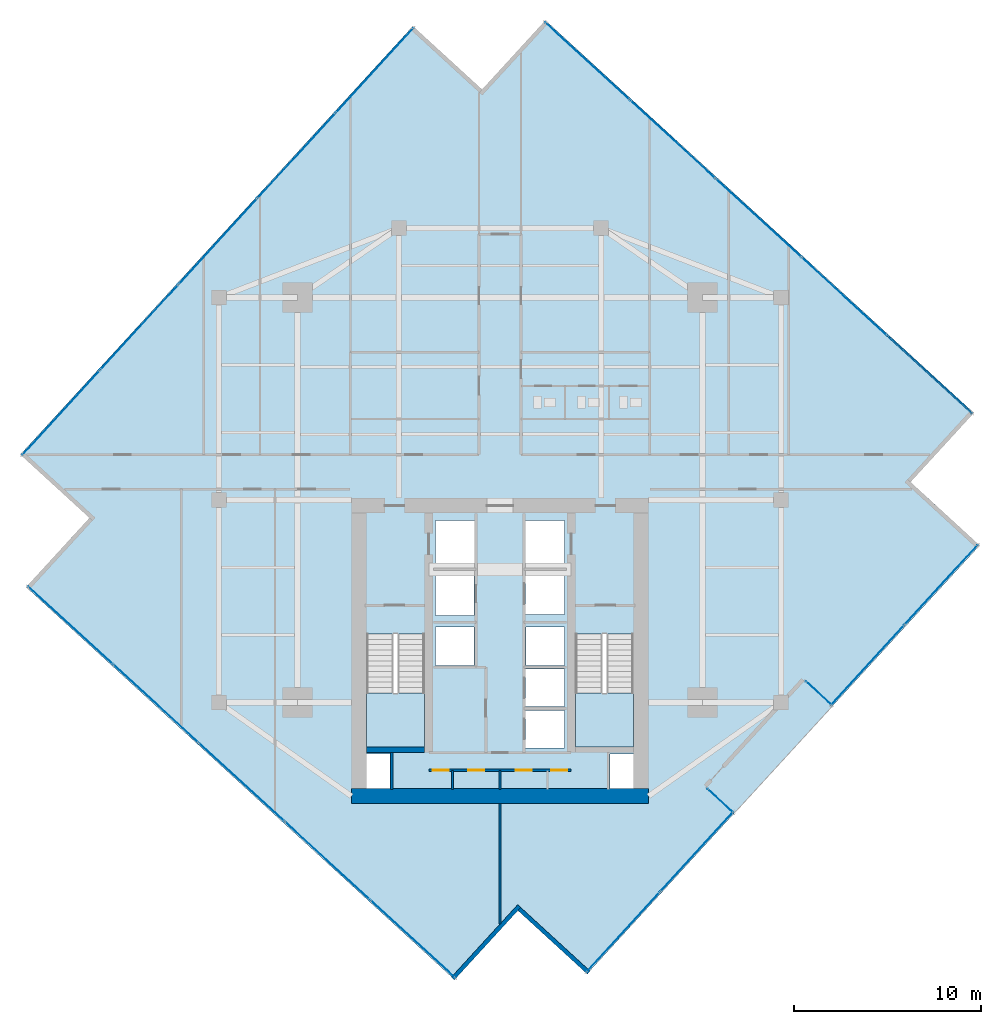
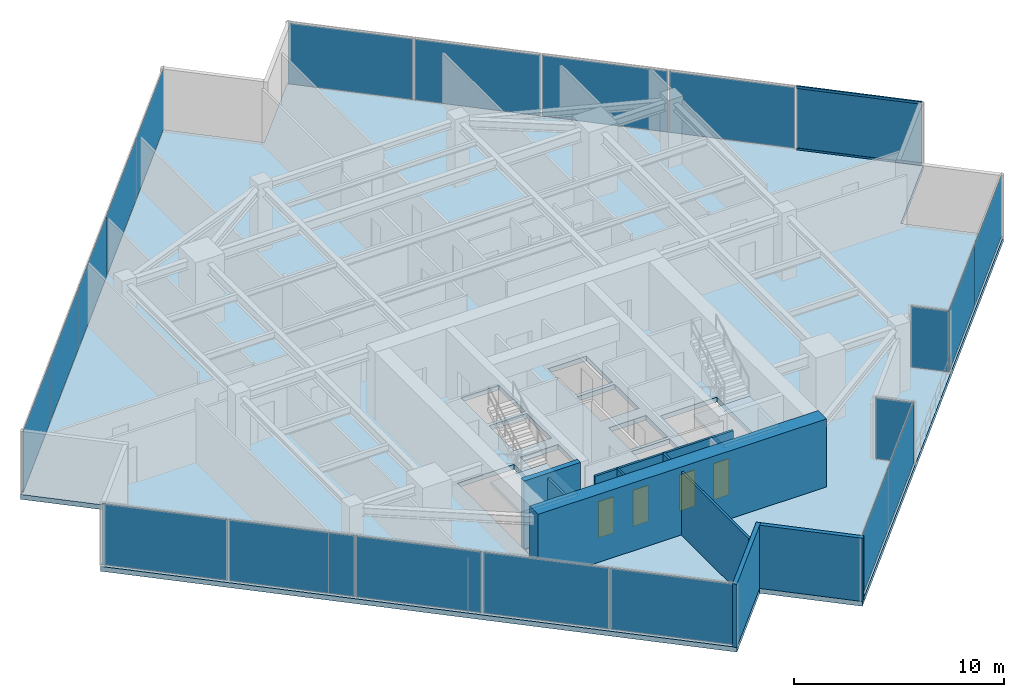
# One storey, part 21 of 26: 21 plates, 9 walls, 4 doors, 3 slabs, 2 members, 4 openings, 9 elements without a shape of their own.
"""IFC4 building model written with IfcOpenShell, lengths in metres."""

from ifc_helpers import new_model, si_unit, direction, frame, frame_2d, origin, origin_2d, place, context, subcontext, project, spatial, polyline, rectangle, hollow_rectangle, outline, extrude, source, transform, mapped, material, layer, layer_set, material_profile, profile_set, type_object, type_shapes, element, fill, aggregate, save


model = new_model("IFC4")

# Units and contexts
model_context = context("Model", 3, precision=1e-05, world=origin(), true_north=direction((0.0, 1.0)))
body_context = subcontext(model_context, "Body", "Model", "MODEL_VIEW")
ifc_project = project(units=[si_unit("LENGTHUNIT", "METRE"), si_unit("AREAUNIT", "SQUARE_METRE"), si_unit("VOLUMEUNIT", "CUBIC_METRE"), si_unit("PLANEANGLEUNIT", "RADIAN"), si_unit("MASSUNIT", "GRAM", prefix="KILO")], contexts=[model_context])

# Site, building, storey
site_placement = place(None, origin())
site = spatial("IfcSite", under=ifc_project, at=site_placement, CompositionType="ELEMENT")
building_placement = place(site_placement, origin())
building = spatial("IfcBuilding", under=site, at=building_placement, Name="Krantzveldt Concourse Tower", CompositionType="ELEMENT")
storey_placement = place(building_placement, frame((0.0, 0.0, 223.10009765625)))
storey = spatial("IfcBuildingStorey", under=building, at=storey_placement, Name="L54", CompositionType="ELEMENT", Elevation=223.10009765625)

# Curtain wall, members
ifc_material_1 = material(Name="Anodised aluminium 6063-T6", Category="aluminium")
curtain_wall_type_1 = type_object("IfcCurtainWallType", Name="CW3", PredefinedType="USERDEFINED", material=ifc_material_1)
curtain_wall_1_placement = place(storey_placement, origin())
curtain_wall_1 = element("IfcCurtainWall", 1, at=curtain_wall_1_placement, inside=storey, type_object=curtain_wall_type_1, Name="CW-L54-F14", ObjectType="UNITISED CURTAIN WALL", PredefinedType="USERDEFINED")
ifc_material_profile = material_profile(ifc_material_1, hollow_rectangle(XDim=0.070068359375, YDim=0.139892578125, WallThickness=0.0048828125, at=origin_2d()), Name="Anodised aluminium 6063-T6", Category="aluminium")
ifc_profile_set = profile_set([ifc_material_profile], Name="Anodised aluminium 6063-T6 - ALU-TRAN 140x70x5")
member_type = type_object("IfcMemberType", Name="CW-TRN-150", PredefinedType="USERDEFINED", material=ifc_profile_set)
shared_shape_1 = source(origin(), body_context, "Body", "SweptSolid", [
    extrude(hollow_rectangle(XDim=0.070068359375, YDim=0.139892578125, WallThickness=0.0048828125, at=origin_2d()), origin(), (0.0, 0.0, 1.0), 6.094970703125),
])
type_shapes(member_type, [shared_shape_1])
member_1_placement = place(storey_placement, frame((61.1650390625, 31.323486328125, 0.034912109375), z_axis=(-0.737277168993, 0.675590390755, 0.0), x_axis=(-0.675590390755, -0.737277168993, 0.0)))
member_1 = element("IfcMember", 2, at=member_1_placement, type_object=member_type, Name="CW-Z34 transom 1.1", ObjectType="TRANSOM", PredefinedType="USERDEFINED", context=body_context, shape_type="MappedRepresentation", body=[
    mapped(shared_shape_1, transform((0.0, 0.0, 0.0), x_axis=(1.0, 0.0, 0.0), y_axis=(0.0, 1.0, 0.0), z_axis=(0.0, 0.0, 1.0), scale=1.0)),
])
member_2_placement = place(storey_placement, frame((61.1650390625, 31.323486328125, 3.635009765625), z_axis=(-0.737277168993, 0.675590390755, 0.0), x_axis=(-0.675590390755, -0.737277168993, 0.0)))
member_2 = element("IfcMember", 3, at=member_2_placement, type_object=member_type, Name="CW-Z34 transom 1.2", ObjectType="TRANSOM", PredefinedType="USERDEFINED", context=body_context, shape_type="MappedRepresentation", body=[
    mapped(shared_shape_1, transform((0.0, 0.0, 0.0), x_axis=(1.0, 0.0, 0.0), y_axis=(0.0, 1.0, 0.0), z_axis=(0.0, 0.0, 1.0), scale=1.0)),
])

# Stair, slab
ifc_material_2 = material(Name="Precast concrete C40/50", Category="concrete")
stair_type = type_object("IfcStairType", Name="STR-CORE-DOGLEG", PredefinedType="HALF_TURN_STAIR", material=ifc_material_2)
stair_1_placement = place(storey_placement, origin())
stair_1 = element("IfcStair", 4, at=stair_1_placement, inside=storey, type_object=stair_type, Name="L54 Protected Escape Stair ST-1", PredefinedType="HALF_TURN_STAIR")
ifc_layer_1 = layer(ifc_material_2, 0.199951171875, Name="Precast concrete C40/50", Category="concrete")
ifc_layer_set_1 = layer_set([ifc_layer_1], Name="Precast concrete C40/50 (SL-LANDING-200)")
slab_type_1 = type_object("IfcSlabType", Name="SL-LANDING-200", PredefinedType="LANDING", material=ifc_layer_set_1)
slab_1_placement = place(storey_placement, frame((0.0, 0.0, 1.77490234375)))
slab_1 = element("IfcSlab", 5, at=slab_1_placement, type_object=slab_type_1, Name="ST-1 landing 1", PredefinedType="LANDING", context=body_context, shape_type="SweptSolid", body=[
    extrude(outline(polyline([(28.8798828125, 16.4150390625), (28.8798828125, 13.52001953125), (31.97998046875, 13.52001953125), (31.97998046875, 16.4150390625), (28.8798828125, 16.4150390625)])), origin(), (0.0, 0.0, 1.0), 0.199951171875),
])
aggregate(stair_1, [slab_1])

stair_2_placement = place(storey_placement, origin())
stair_2 = element("IfcStair", 6, at=stair_2_placement, inside=storey, type_object=stair_type, Name="L54 Protected Escape Stair ST-2", PredefinedType="HALF_TURN_STAIR")
slab_2_placement = place(storey_placement, frame((0.0, 0.0, 1.77490234375)))
slab_2 = element("IfcSlab", 7, at=slab_2_placement, type_object=slab_type_1, Name="ST-2 landing 1", PredefinedType="LANDING", context=body_context, shape_type="SweptSolid", body=[
    extrude(outline(polyline([(40.02001953125, 16.4150390625), (40.02001953125, 13.52001953125), (43.1201171875, 13.52001953125), (43.1201171875, 16.4150390625), (40.02001953125, 16.4150390625)])), origin(), (0.0, 0.0, 1.0), 0.199951171875),
])
aggregate(stair_2, [slab_2])

# Slab
ifc_material_3 = material(Name="Concrete C40/50", Category="concrete")
ifc_layer_2 = layer(ifc_material_3, 0.280029296875, Name="Concrete C40/50", Category="concrete")
ifc_layer_set_2 = layer_set([ifc_layer_2], Name="Concrete C40/50 (SL-SL-TER280)")
slab_type_2 = type_object("IfcSlabType", Name="SL-SL-TER280", PredefinedType="FLOOR", material=ifc_layer_set_2)
slab_3_placement = place(storey_placement, frame((0.0, 0.0, -0.280029296875)))
element("IfcSlab", 8, at=slab_3_placement, inside=storey, type_object=slab_type_2, Name="SL-L54-MAIN", PredefinedType="FLOOR", context=body_context, shape_type="SweptSolid", body=[
    extrude(outline(polyline([(35.0439453125, 48.599365234375), (31.357421875, 51.977294921875), (10.4140625, 29.121826171875), (14.1005859375, 25.743896484375), (10.72265625, 22.057373046875), (33.578125, 1.1142578125), (36.9560546875, 4.800537109375), (40.642578125, 1.422607421875), (61.5859375, 24.2783203125), (57.8994140625, 27.65625), (61.27734375, 31.342529296875), (38.421875, 52.285888671875), (35.0439453125, 48.599365234375)]), holes=[polyline([(28.8798828125, 19.547607421875), (28.8798828125, 13.52001953125), (31.97998046875, 13.52001953125), (31.97998046875, 19.547607421875), (28.8798828125, 19.547607421875)]), polyline([(40.02001953125, 19.547607421875), (40.02001953125, 13.52001953125), (43.1201171875, 13.52001953125), (43.1201171875, 19.547607421875), (40.02001953125, 19.547607421875)]), polyline([(32.550048828125, 23.10009765625), (34.64990234375, 23.10009765625), (34.64990234375, 25.60009765625), (32.550048828125, 25.60009765625), (32.550048828125, 23.10009765625)]), polyline([(37.35009765625, 23.10009765625), (39.449951171875, 23.10009765625), (39.449951171875, 25.60009765625), (37.35009765625, 25.60009765625), (37.35009765625, 23.10009765625)]), polyline([(37.35009765625, 20.60009765625), (39.449951171875, 20.60009765625), (39.449951171875, 22.89990234375), (37.35009765625, 22.89990234375), (37.35009765625, 20.60009765625)]), polyline([(37.35009765625, 13.47998046875), (39.449951171875, 13.47998046875), (39.449951171875, 15.47998046875), (37.35009765625, 15.47998046875), (37.35009765625, 13.47998046875)]), polyline([(37.35009765625, 15.679931640625), (39.449951171875, 15.679931640625), (39.449951171875, 17.679931640625), (37.35009765625, 17.679931640625), (37.35009765625, 15.679931640625)]), polyline([(32.550048828125, 20.550048828125), (34.6201171875, 20.550048828125), (34.6201171875, 22.89990234375), (32.550048828125, 22.89990234375), (32.550048828125, 20.550048828125)]), polyline([(32.550048828125, 17.8798828125), (34.6201171875, 17.8798828125), (34.6201171875, 19.919921875), (32.550048828125, 19.919921875), (32.550048828125, 17.8798828125)]), polyline([(37.3798828125, 17.8798828125), (39.449951171875, 17.8798828125), (39.449951171875, 19.919921875), (37.3798828125, 19.919921875), (37.3798828125, 17.8798828125)]), polyline([(28.8798828125, 11.320068359375), (30.139892578125, 11.320068359375), (30.139892578125, 13.159912109375), (28.8798828125, 13.159912109375), (28.8798828125, 11.320068359375)]), polyline([(41.860107421875, 11.320068359375), (43.1201171875, 11.320068359375), (43.1201171875, 13.159912109375), (41.860107421875, 13.159912109375), (41.860107421875, 11.320068359375)])]), origin(), (0.0, 0.0, 1.0), 0.280029296875),
])

# Curtain wall, plate
curtain_wall_type_2 = type_object("IfcCurtainWallType", Name="CW6", PredefinedType="USERDEFINED", material=ifc_material_1)
curtain_wall_2_placement = place(storey_placement, origin())
curtain_wall_2 = element("IfcCurtainWall", 9, at=curtain_wall_2_placement, inside=storey, type_object=curtain_wall_type_2, Name="CW-L54-TR08", ObjectType="UNITISED CURTAIN WALL", PredefinedType="USERDEFINED")
ifc_material_4 = material(Name="Bronze-tinted laminated low-E IGU glass", Category="glass")
ifc_layer_3 = layer(ifc_material_4, 0.031982421875, Name="Bronze-tinted laminated low-E IGU glass", Category="glass")
ifc_layer_set_3 = layer_set([ifc_layer_3], Name="Bronze-tinted laminated low-E IGU glass (CW-GLZ-32)")
plate_type = type_object("IfcPlateType", Name="CW-GLZ-32", PredefinedType="CURTAIN_PANEL", material=ifc_layer_set_3)
shared_shape_2 = source(origin(), body_context, "Body", "SweptSolid", [
    extrude(rectangle(XDim=1.860107421875, YDim=0.031982421875, at=origin_2d()), origin(), (0.0, 0.0, 1.0), 3.530029296875),
])
plate_1_placement = place(storey_placement, frame((47.748779296875, 10.657958984375, 0.06982421875), z_axis=(0.0, 0.0, 1.0), x_axis=(-0.737276373651, 0.675591258718, 0.0)))
plate_1 = element("IfcPlate", 10, at=plate_1_placement, type_object=plate_type, Name="CW-TERR panel 1.1", PredefinedType="CURTAIN_PANEL", context=body_context, shape_type="MappedRepresentation", body=[
    mapped(shared_shape_2, transform((0.0, 0.0, 0.0), x_axis=(1.0, 0.0, 0.0), y_axis=(0.0, 1.0, 0.0), z_axis=(0.0, 0.0, 1.0), scale=1.0)),
])
aggregate(curtain_wall_2, [plate_1])

curtain_wall_3_placement = place(storey_placement, origin())
curtain_wall_3 = element("IfcCurtainWall", 11, at=curtain_wall_3_placement, inside=storey, type_object=curtain_wall_type_2, Name="CW-L54-TR10", ObjectType="UNITISED CURTAIN WALL", PredefinedType="USERDEFINED")
plate_2_placement = place(storey_placement, frame((53.0048828125, 16.39404296875, 0.06982421875), z_axis=(0.0, 0.0, 1.0), x_axis=(0.737276165275, -0.675591486119, 0.0)))
plate_2 = element("IfcPlate", 12, at=plate_2_placement, type_object=plate_type, Name="CW-TERR panel 1.1", PredefinedType="CURTAIN_PANEL", context=body_context, shape_type="MappedRepresentation", body=[
    mapped(shared_shape_2, transform((0.0, 0.0, 0.0), x_axis=(1.0, 0.0, 0.0), y_axis=(0.0, 1.0, 0.0), z_axis=(0.0, 0.0, 1.0), scale=1.0)),
])
aggregate(curtain_wall_3, [plate_2])

# Curtain wall, plates
curtain_wall_4_placement = place(storey_placement, origin())
curtain_wall_4 = element("IfcCurtainWall", 13, at=curtain_wall_4_placement, inside=storey, type_object=curtain_wall_type_1, Name="CW-L54-F01", ObjectType="UNITISED CURTAIN WALL", PredefinedType="USERDEFINED")
shared_shape_3 = source(origin(), body_context, "Body", "SweptSolid", [
    extrude(rectangle(XDim=6.094970703125, YDim=0.031982421875, at=origin_2d()), origin(), (0.0, 0.0, 1.0), 3.530029296875),
])
plate_3_placement = place(storey_placement, frame((29.317626953125, 49.6181640625, 0.06982421875), z_axis=(0.0, 0.0, 1.0), x_axis=(-0.675590053651, -0.737277477893, 0.0)))
plate_3 = element("IfcPlate", 14, at=plate_3_placement, type_object=plate_type, Name="CW-Z34 panel 1.1", PredefinedType="CURTAIN_PANEL", context=body_context, shape_type="MappedRepresentation", body=[
    mapped(shared_shape_3, transform((0.0, 0.0, 0.0), x_axis=(1.0, 0.0, 0.0), y_axis=(0.0, 1.0, 0.0), z_axis=(0.0, 0.0, 1.0), scale=1.0)),
])
plate_4_placement = place(storey_placement, frame((12.586669921875, 31.359375, 0.06982421875), z_axis=(0.0, 0.0, 1.0), x_axis=(-0.675590053651, -0.737277477893, 0.0)))
plate_4 = element("IfcPlate", 15, at=plate_4_placement, type_object=plate_type, Name="CW-Z34 panel 5.1", PredefinedType="CURTAIN_PANEL", context=body_context, shape_type="MappedRepresentation", body=[
    mapped(shared_shape_3, transform((0.0, 0.0, 0.0), x_axis=(1.0, 0.0, 0.0), y_axis=(0.0, 1.0, 0.0), z_axis=(0.0, 0.0, 1.0), scale=1.0)),
])

curtain_wall_5_placement = place(storey_placement, origin())
curtain_wall_5 = element("IfcCurtainWall", 16, at=curtain_wall_5_placement, inside=storey, type_object=curtain_wall_type_1, Name="CW-L54-F04", ObjectType="UNITISED CURTAIN WALL", PredefinedType="USERDEFINED")
plate_5_placement = place(storey_placement, frame((13.081787109375, 20.017578125, 0.06982421875), z_axis=(0.0, 0.0, 1.0), x_axis=(0.737277477893, -0.675590053651, 0.0)))
plate_5 = element("IfcPlate", 17, at=plate_5_placement, type_object=plate_type, Name="CW-Z34 panel 1.1", PredefinedType="CURTAIN_PANEL", context=body_context, shape_type="MappedRepresentation", body=[
    mapped(shared_shape_3, transform((0.0, 0.0, 0.0), x_axis=(1.0, 0.0, 0.0), y_axis=(0.0, 1.0, 0.0), z_axis=(0.0, 0.0, 1.0), scale=1.0)),
])
plate_6_placement = place(storey_placement, frame((31.340576171875, 3.28662109375, 0.06982421875), z_axis=(0.0, 0.0, 1.0), x_axis=(0.737277477893, -0.675590053651, 0.0)))
plate_6 = element("IfcPlate", 18, at=plate_6_placement, type_object=plate_type, Name="CW-Z34 panel 5.1", PredefinedType="CURTAIN_PANEL", context=body_context, shape_type="MappedRepresentation", body=[
    mapped(shared_shape_3, transform((0.0, 0.0, 0.0), x_axis=(1.0, 0.0, 0.0), y_axis=(0.0, 1.0, 0.0), z_axis=(0.0, 0.0, 1.0), scale=1.0)),
])

# Plate
plate_7_placement = place(storey_placement, frame((58.918212890625, 33.38232421875, 0.06982421875), z_axis=(0.0, 0.0, 1.0), x_axis=(-0.737277477893, 0.675590053651, 0.0)))
plate_7 = element("IfcPlate", 19, at=plate_7_placement, type_object=plate_type, Name="CW-Z34 panel 1.1", PredefinedType="CURTAIN_PANEL", context=body_context, shape_type="MappedRepresentation", body=[
    mapped(shared_shape_3, transform((0.0, 0.0, 0.0), x_axis=(1.0, 0.0, 0.0), y_axis=(0.0, 1.0, 0.0), z_axis=(0.0, 0.0, 1.0), scale=1.0)),
])

plate_8_placement = place(storey_placement, frame((40.659423828125, 50.11328125, 0.06982421875), z_axis=(0.0, 0.0, 1.0), x_axis=(-0.737277477893, 0.675590053651, 0.0)))
plate_8 = element("IfcPlate", 20, at=plate_8_placement, type_object=plate_type, Name="CW-Z34 panel 5.1", PredefinedType="CURTAIN_PANEL", context=body_context, shape_type="MappedRepresentation", body=[
    mapped(shared_shape_3, transform((0.0, 0.0, 0.0), x_axis=(1.0, 0.0, 0.0), y_axis=(0.0, 1.0, 0.0), z_axis=(0.0, 0.0, 1.0), scale=1.0)),
])

shared_shape_4 = source(origin(), body_context, "Body", "SweptSolid", [
    extrude(rectangle(XDim=6.1298828125, YDim=0.031982421875, at=origin_2d()), origin(), (0.0, 0.0, 1.0), 3.530029296875),
])
plate_9_placement = place(storey_placement, frame((25.140869140625, 45.059814453125, 0.06982421875), z_axis=(0.0, 0.0, 1.0), x_axis=(-0.675590053651, -0.737277477893, 0.0)))
plate_9 = element("IfcPlate", 21, at=plate_9_placement, type_object=plate_type, Name="CW-Z34 panel 2.1", PredefinedType="CURTAIN_PANEL", context=body_context, shape_type="MappedRepresentation", body=[
    mapped(shared_shape_4, transform((0.0, 0.0, 0.0), x_axis=(1.0, 0.0, 0.0), y_axis=(0.0, 1.0, 0.0), z_axis=(0.0, 0.0, 1.0), scale=1.0)),
])

plate_10_placement = place(storey_placement, frame((20.9521484375, 40.48876953125, 0.06982421875), z_axis=(0.0, 0.0, 1.0), x_axis=(-0.675590053651, -0.737277477893, 0.0)))
plate_10 = element("IfcPlate", 22, at=plate_10_placement, type_object=plate_type, Name="CW-Z34 panel 3.1", PredefinedType="CURTAIN_PANEL", context=body_context, shape_type="MappedRepresentation", body=[
    mapped(shared_shape_4, transform((0.0, 0.0, 0.0), x_axis=(1.0, 0.0, 0.0), y_axis=(0.0, 1.0, 0.0), z_axis=(0.0, 0.0, 1.0), scale=1.0)),
])

plate_11_placement = place(storey_placement, frame((16.763427734375, 35.917724609375, 0.06982421875), z_axis=(0.0, 0.0, 1.0), x_axis=(-0.675590053651, -0.737277477893, 0.0)))
plate_11 = element("IfcPlate", 23, at=plate_11_placement, type_object=plate_type, Name="CW-Z34 panel 4.1", PredefinedType="CURTAIN_PANEL", context=body_context, shape_type="MappedRepresentation", body=[
    mapped(shared_shape_4, transform((0.0, 0.0, 0.0), x_axis=(1.0, 0.0, 0.0), y_axis=(0.0, 1.0, 0.0), z_axis=(0.0, 0.0, 1.0), scale=1.0)),
])

aggregate(curtain_wall_4, [plate_3, plate_9, plate_10, plate_11, plate_4])

plate_12_placement = place(storey_placement, frame((17.64013671875, 15.8408203125, 0.06982421875), z_axis=(0.0, 0.0, 1.0), x_axis=(0.737277477893, -0.675590053651, 0.0)))
plate_12 = element("IfcPlate", 24, at=plate_12_placement, type_object=plate_type, Name="CW-Z34 panel 2.1", PredefinedType="CURTAIN_PANEL", context=body_context, shape_type="MappedRepresentation", body=[
    mapped(shared_shape_4, transform((0.0, 0.0, 0.0), x_axis=(1.0, 0.0, 0.0), y_axis=(0.0, 1.0, 0.0), z_axis=(0.0, 0.0, 1.0), scale=1.0)),
])

plate_13_placement = place(storey_placement, frame((22.211181640625, 11.652099609375, 0.06982421875), z_axis=(0.0, 0.0, 1.0), x_axis=(0.737277477893, -0.675590053651, 0.0)))
plate_13 = element("IfcPlate", 25, at=plate_13_placement, type_object=plate_type, Name="CW-Z34 panel 3.1", PredefinedType="CURTAIN_PANEL", context=body_context, shape_type="MappedRepresentation", body=[
    mapped(shared_shape_4, transform((0.0, 0.0, 0.0), x_axis=(1.0, 0.0, 0.0), y_axis=(0.0, 1.0, 0.0), z_axis=(0.0, 0.0, 1.0), scale=1.0)),
])

plate_14_placement = place(storey_placement, frame((26.7822265625, 7.463623046875, 0.06982421875), z_axis=(0.0, 0.0, 1.0), x_axis=(0.737277477893, -0.675590053651, 0.0)))
plate_14 = element("IfcPlate", 26, at=plate_14_placement, type_object=plate_type, Name="CW-Z34 panel 4.1", PredefinedType="CURTAIN_PANEL", context=body_context, shape_type="MappedRepresentation", body=[
    mapped(shared_shape_4, transform((0.0, 0.0, 0.0), x_axis=(1.0, 0.0, 0.0), y_axis=(0.0, 1.0, 0.0), z_axis=(0.0, 0.0, 1.0), scale=1.0)),
])

aggregate(curtain_wall_5, [plate_5, plate_12, plate_13, plate_14, plate_6])

plate_15_placement = place(storey_placement, frame((54.35986328125, 37.55908203125, 0.06982421875), z_axis=(0.0, 0.0, 1.0), x_axis=(-0.737277477893, 0.675590053651, 0.0)))
plate_15 = element("IfcPlate", 27, at=plate_15_placement, type_object=plate_type, Name="CW-Z34 panel 2.1", PredefinedType="CURTAIN_PANEL", context=body_context, shape_type="MappedRepresentation", body=[
    mapped(shared_shape_4, transform((0.0, 0.0, 0.0), x_axis=(1.0, 0.0, 0.0), y_axis=(0.0, 1.0, 0.0), z_axis=(0.0, 0.0, 1.0), scale=1.0)),
])

plate_16_placement = place(storey_placement, frame((49.788818359375, 41.747802734375, 0.06982421875), z_axis=(0.0, 0.0, 1.0), x_axis=(-0.737277477893, 0.675590053651, 0.0)))
plate_16 = element("IfcPlate", 28, at=plate_16_placement, type_object=plate_type, Name="CW-Z34 panel 3.1", PredefinedType="CURTAIN_PANEL", context=body_context, shape_type="MappedRepresentation", body=[
    mapped(shared_shape_4, transform((0.0, 0.0, 0.0), x_axis=(1.0, 0.0, 0.0), y_axis=(0.0, 1.0, 0.0), z_axis=(0.0, 0.0, 1.0), scale=1.0)),
])

plate_17_placement = place(storey_placement, frame((45.2177734375, 45.9365234375, 0.06982421875), z_axis=(0.0, 0.0, 1.0), x_axis=(-0.737277477893, 0.675590053651, 0.0)))
plate_17 = element("IfcPlate", 29, at=plate_17_placement, type_object=plate_type, Name="CW-Z34 panel 4.1", PredefinedType="CURTAIN_PANEL", context=body_context, shape_type="MappedRepresentation", body=[
    mapped(shared_shape_4, transform((0.0, 0.0, 0.0), x_axis=(1.0, 0.0, 0.0), y_axis=(0.0, 1.0, 0.0), z_axis=(0.0, 0.0, 1.0), scale=1.0)),
])

aggregate(curtain_wall_1, [member_1, member_2, plate_7, plate_15, plate_16, plate_17, plate_8])

# Curtain wall, plates
curtain_wall_6_placement = place(storey_placement, origin())
curtain_wall_6 = element("IfcCurtainWall", 30, at=curtain_wall_6_placement, inside=storey, type_object=curtain_wall_type_1, Name="CW-L54-F07", ObjectType="UNITISED CURTAIN WALL", PredefinedType="USERDEFINED")
shared_shape_5 = source(origin(), body_context, "Body", "SweptSolid", [
    extrude(rectangle(XDim=5.7451171875, YDim=0.031982421875, at=origin_2d()), origin(), (0.0, 0.0, 1.0), 3.530029296875),
])
type_shapes(plate_type, [shared_shape_2, shared_shape_3, shared_shape_4, shared_shape_5])
plate_18_placement = place(storey_placement, frame((42.564208984375, 3.65283203125, 0.06982421875), z_axis=(0.0, 0.0, 1.0), x_axis=(0.675589735736, 0.737277769208, 0.0)))
plate_18 = element("IfcPlate", 31, at=plate_18_placement, type_object=plate_type, Name="CW-Z34 panel 1.1", PredefinedType="CURTAIN_PANEL", context=body_context, shape_type="MappedRepresentation", body=[
    mapped(shared_shape_5, transform((0.0, 0.0, 0.0), x_axis=(1.0, 0.0, 0.0), y_axis=(0.0, 1.0, 0.0), z_axis=(0.0, 0.0, 1.0), scale=1.0)),
])
plate_19_placement = place(storey_placement, frame((46.49267578125, 7.940185546875, 0.06982421875), z_axis=(0.0, 0.0, 1.0), x_axis=(0.675589735736, 0.737277769208, 0.0)))
plate_19 = element("IfcPlate", 32, at=plate_19_placement, type_object=plate_type, Name="CW-Z34 panel 2.1", PredefinedType="CURTAIN_PANEL", context=body_context, shape_type="MappedRepresentation", body=[
    mapped(shared_shape_5, transform((0.0, 0.0, 0.0), x_axis=(1.0, 0.0, 0.0), y_axis=(0.0, 1.0, 0.0), z_axis=(0.0, 0.0, 1.0), scale=1.0)),
])
aggregate(curtain_wall_6, [plate_18, plate_19])

curtain_wall_7_placement = place(storey_placement, origin())
curtain_wall_7 = element("IfcCurtainWall", 33, at=curtain_wall_7_placement, inside=storey, type_object=curtain_wall_type_1, Name="CW-L54-F11", ObjectType="UNITISED CURTAIN WALL", PredefinedType="USERDEFINED")
plate_20_placement = place(storey_placement, frame((55.60302734375, 17.88232421875, 0.06982421875), z_axis=(0.0, 0.0, 1.0), x_axis=(0.675589735736, 0.737277769208, 0.0)))
plate_20 = element("IfcPlate", 34, at=plate_20_placement, type_object=plate_type, Name="CW-Z34 panel 1.1", PredefinedType="CURTAIN_PANEL", context=body_context, shape_type="MappedRepresentation", body=[
    mapped(shared_shape_5, transform((0.0, 0.0, 0.0), x_axis=(1.0, 0.0, 0.0), y_axis=(0.0, 1.0, 0.0), z_axis=(0.0, 0.0, 1.0), scale=1.0)),
])
plate_21_placement = place(storey_placement, frame((59.531494140625, 22.169677734375, 0.06982421875), z_axis=(0.0, 0.0, 1.0), x_axis=(0.675589735736, 0.737277769208, 0.0)))
plate_21 = element("IfcPlate", 35, at=plate_21_placement, type_object=plate_type, Name="CW-Z34 panel 2.1", PredefinedType="CURTAIN_PANEL", context=body_context, shape_type="MappedRepresentation", body=[
    mapped(shared_shape_5, transform((0.0, 0.0, 0.0), x_axis=(1.0, 0.0, 0.0), y_axis=(0.0, 1.0, 0.0), z_axis=(0.0, 0.0, 1.0), scale=1.0)),
])
aggregate(curtain_wall_7, [plate_20, plate_21])

# Walls
ifc_layer_4 = layer(ifc_material_1, 0.219970703125, Name="Anodised aluminium 6063-T6", Category="aluminium")
ifc_layer_set_4 = layer_set([ifc_layer_4], Name="Anodised aluminium 6063-T6 (WL-EXT-NOTCH220)")
wall_type_1 = type_object("IfcWallType", Name="WL-EXT-NOTCH220", PredefinedType="ELEMENTEDWALL", material=ifc_layer_set_4)
wall_1_placement = place(storey_placement, frame((33.480224609375, 1.170166015625, 0.0), z_axis=(0.0, 0.0, 1.0), x_axis=(0.675596040677, 0.737271991752, 0.0)))
element("IfcWall", 36, at=wall_1_placement, inside=storey, type_object=wall_type_1, Name="EW-L54-NCH05", PredefinedType="ELEMENTEDWALL", context=body_context, shape_type="SweptSolid", body=[
    extrude(rectangle(XDim=5.244873046875, YDim=0.219970703125, at=frame_2d((2.62255859375, 0.0))), origin(), (0.0, 0.0, 1.0), 3.669921875),
])
wall_2_placement = place(storey_placement, frame((37.030517578125, 4.881591796875, 0.0), z_axis=(0.0, 0.0, 1.0), x_axis=(0.737285215553, -0.675581609375, 0.0)))
element("IfcWall", 37, at=wall_2_placement, inside=storey, type_object=wall_type_1, Name="EW-L54-NCH06", PredefinedType="ELEMENTEDWALL", context=body_context, shape_type="SweptSolid", body=[
    extrude(rectangle(XDim=5.02490234375, YDim=0.219970703125, at=frame_2d((2.512451171875, 0.0))), origin(), (0.0, 0.0, 1.0), 3.669921875),
])

# Wall, openings, doors
ifc_material_5 = material(Name="Fire-rated gypsum plasterboard on steel stud", Category="steel")
ifc_layer_5 = layer(ifc_material_5, 0.1201171875, Name="Fire-rated gypsum plasterboard on steel stud", Category="steel")
ifc_layer_set_5 = layer_set([ifc_layer_5], Name="Fire-rated gypsum plasterboard on steel stud (WL-PART-120)")
wall_type_2 = type_object("IfcWallType", Name="WL-PART-120", PredefinedType="PARTITIONING", material=ifc_layer_set_5)
wall_3_placement = place(storey_placement, frame((32.2099609375, 12.280029296875, 0.0), z_axis=(0.0, 0.0, 1.0), x_axis=(1.0, 0.0, 0.0)))
wall_3 = element("IfcWall", 38, at=wall_3_placement, inside=storey, type_object=wall_type_2, Name="WP-L54-CSD-HM", PredefinedType="PARTITIONING", context=body_context, shape_type="SweptSolid", body=[
    extrude(rectangle(XDim=7.580078125, YDim=0.1201171875, at=frame_2d((3.7900390625, 0.0))), origin(), (0.0, 0.0, 1.0), 3.669921875),
])
opening_1_placement = place(wall_3_placement, frame((0.205078125, 0.0, 0.0)))
opening_1 = element("IfcOpeningElement", 39, at=opening_1_placement, cuts=wall_3, Name="Opening D-IN085", PredefinedType="OPENING", context=body_context, shape_type="SweptSolid", body=[
    extrude(rectangle(XDim=0.85009765625, YDim=2.10009765625, at=frame_2d((0.425048828125, 1.050048828125))), frame((0.0, 0.070068359375, 0.0), z_axis=(0.0, -1.0, 0.0), x_axis=(1.0, 0.0, 0.0)), (0.0, 0.0, 1.0), 0.14013671875),
])
opening_2_placement = place(wall_3_placement, frame((2.094970703125, 0.0, 0.0)))
opening_2 = element("IfcOpeningElement", 40, at=opening_2_placement, cuts=wall_3, Name="Opening D-IN085", PredefinedType="OPENING", context=body_context, shape_type="SweptSolid", body=[
    extrude(rectangle(XDim=0.85009765625, YDim=2.10009765625, at=frame_2d((0.425048828125, 1.050048828125))), frame((0.0, 0.070068359375, 0.0), z_axis=(0.0, -1.0, 0.0), x_axis=(1.0, 0.0, 0.0)), (0.0, 0.0, 1.0), 0.14013671875),
])
opening_3_placement = place(wall_3_placement, frame((4.635009765625, 0.0, 0.0)))
opening_3 = element("IfcOpeningElement", 41, at=opening_3_placement, cuts=wall_3, Name="Opening D-IN085", PredefinedType="OPENING", context=body_context, shape_type="SweptSolid", body=[
    extrude(rectangle(XDim=0.85009765625, YDim=2.10009765625, at=frame_2d((0.425048828125, 1.050048828125))), frame((0.0, 0.070068359375, 0.0), z_axis=(0.0, -1.0, 0.0), x_axis=(1.0, 0.0, 0.0)), (0.0, 0.0, 1.0), 0.14013671875),
])
opening_4_placement = place(wall_3_placement, frame((6.52490234375, 0.0, 0.0)))
opening_4 = element("IfcOpeningElement", 42, at=opening_4_placement, cuts=wall_3, Name="Opening D-IN085", PredefinedType="OPENING", context=body_context, shape_type="SweptSolid", body=[
    extrude(rectangle(XDim=0.85009765625, YDim=2.10009765625, at=frame_2d((0.425048828125, 1.050048828125))), frame((0.0, 0.070068359375, 0.0), z_axis=(0.0, -1.0, 0.0), x_axis=(1.0, 0.0, 0.0)), (0.0, 0.0, 1.0), 0.14013671875),
])
ifc_material_6 = material(Name="Hardwood timber", Category="wood")
door_type = type_object("IfcDoorType", Name="DR-INT-850", OperationType="SINGLE_SWING_LEFT", PredefinedType="DOOR", material=ifc_material_6)
door_1_placement = place(opening_1_placement, origin())
door_1 = element("IfcDoor", 43, at=door_1_placement, inside=storey, type_object=door_type, Name="DR-L54-CSD1", OperationType="SINGLE_SWING_RIGHT", OverallHeight=2.10009765625, OverallWidth=0.85009765625, PredefinedType="DOOR", context=body_context, shape_type="SweptSolid", body=[
    extrude(rectangle(XDim=0.85009765625, YDim=2.10009765625, at=frame_2d((0.425048828125, 1.050048828125))), frame((0.0, 0.02490234375, 0.0), z_axis=(0.0, -1.0, 0.0), x_axis=(1.0, 0.0, 0.0)), (0.0, 0.0, 1.0), 0.050048828125),
])
fill(opening_1, door_1)
door_2_placement = place(opening_2_placement, origin())
door_2 = element("IfcDoor", 44, at=door_2_placement, inside=storey, type_object=door_type, Name="DR-L54-CSD2", OperationType="SINGLE_SWING_RIGHT", OverallHeight=2.10009765625, OverallWidth=0.85009765625, PredefinedType="DOOR", context=body_context, shape_type="SweptSolid", body=[
    extrude(rectangle(XDim=0.85009765625, YDim=2.10009765625, at=frame_2d((0.425048828125, 1.050048828125))), frame((0.0, 0.02490234375, 0.0), z_axis=(0.0, -1.0, 0.0), x_axis=(1.0, 0.0, 0.0)), (0.0, 0.0, 1.0), 0.050048828125),
])
fill(opening_2, door_2)
door_3_placement = place(opening_3_placement, origin())
door_3 = element("IfcDoor", 45, at=door_3_placement, inside=storey, type_object=door_type, Name="DR-L54-CSD3", OperationType="SINGLE_SWING_RIGHT", OverallHeight=2.10009765625, OverallWidth=0.85009765625, PredefinedType="DOOR", context=body_context, shape_type="SweptSolid", body=[
    extrude(rectangle(XDim=0.85009765625, YDim=2.10009765625, at=frame_2d((0.425048828125, 1.050048828125))), frame((0.0, 0.02490234375, 0.0), z_axis=(0.0, -1.0, 0.0), x_axis=(1.0, 0.0, 0.0)), (0.0, 0.0, 1.0), 0.050048828125),
])
fill(opening_3, door_3)
door_4_placement = place(opening_4_placement, origin())
door_4 = element("IfcDoor", 46, at=door_4_placement, inside=storey, type_object=door_type, Name="DR-L54-CSD4", OperationType="SINGLE_SWING_RIGHT", OverallHeight=2.10009765625, OverallWidth=0.85009765625, PredefinedType="DOOR", context=body_context, shape_type="SweptSolid", body=[
    extrude(rectangle(XDim=0.85009765625, YDim=2.10009765625, at=frame_2d((0.425048828125, 1.050048828125))), frame((0.0, 0.02490234375, 0.0), z_axis=(0.0, -1.0, 0.0), x_axis=(1.0, 0.0, 0.0)), (0.0, 0.0, 1.0), 0.050048828125),
])
fill(opening_4, door_4)

# Walls
for number, where, z_axis, x_axis, name in (
    (47, (33.469970703125, 11.25, 0.0), (0.0, 0.0, 1.0), (0.0, 1.0, 0.0), "WP-L54-CSD-V1"),
    (48, (36.0, 11.25, 0.0), (0.0, 0.0, 1.0), (0.0, 1.0, 0.0), "WP-L54-CSD-V2"),
):
    element("IfcWall", number, at=place(storey_placement, frame(where, z_axis=z_axis, x_axis=x_axis)), inside=storey, type_object=wall_type_2, Name=name, PredefinedType="PARTITIONING", context=body_context, shape_type="SweptSolid", body=[
        extrude(rectangle(XDim=1.030029296875, YDim=0.1201171875, at=frame_2d((0.51513671875, 0.0))), origin(), (0.0, 0.0, 1.0), 3.669921875),
    ])
wall_4_placement = place(storey_placement, frame((36.0, 4.090087890625, 0.0), z_axis=(0.0, 0.0, 1.0), x_axis=(0.0, 1.0, 0.0)))
element("IfcWall", 49, at=wall_4_placement, inside=storey, type_object=wall_type_2, Name="WP-L54-SMID", PredefinedType="PARTITIONING", context=body_context, shape_type="SweptSolid", body=[
    extrude(rectangle(XDim=6.409912109375, YDim=0.1201171875, at=frame_2d((3.205078125, 0.0))), origin(), (0.0, 0.0, 1.0), 3.669921875),
])
ifc_layer_6 = layer(ifc_material_5, 0.139892578125, Name="Fire-rated gypsum plasterboard on steel stud", Category="steel")
ifc_layer_set_6 = layer_set([ifc_layer_6], Name="Fire-rated gypsum plasterboard on steel stud (WL-PART-FR140)")
wall_type_3 = type_object("IfcWallType", Name="WL-PART-FR140", PredefinedType="PARTITIONING", material=ifc_layer_set_6)
wall_5_placement = place(storey_placement, frame((30.219970703125, 11.25, 0.0), z_axis=(0.0, 0.0, 1.0), x_axis=(0.0, 1.0, 0.0)))
element("IfcWall", 50, at=wall_5_placement, inside=storey, type_object=wall_type_3, Name="WP-L54-RSW", PredefinedType="PARTITIONING", context=body_context, shape_type="SweptSolid", body=[
    extrude(rectangle(XDim=1.969970703125, YDim=0.1201171875, at=frame_2d((0.98486328125, 0.0))), origin(), (0.0, 0.0, 1.0), 3.669921875),
])
ifc_material_7 = material(Name="Concrete C50/60", Category="concrete")
ifc_layer_7 = layer(ifc_material_7, 0.300048828125, Name="Concrete C50/60", Category="concrete")
ifc_layer_set_7 = layer_set([ifc_layer_7], Name="Concrete C50/60 (WL-SHEAR-300)")
wall_type_4 = type_object("IfcWallType", Name="WL-SHEAR-300", PredefinedType="SHEAR", material=ifc_layer_set_7)
wall_6_placement = place(storey_placement, frame((28.8798828125, 13.3701171875, 0.0), z_axis=(0.0, 0.0, 1.0), x_axis=(1.0, 0.0, 0.0)))
element("IfcWall", 51, at=wall_6_placement, inside=storey, type_object=wall_type_4, Name="CW-L54-ST1S", PredefinedType="SHEAR", context=body_context, shape_type="SweptSolid", body=[
    extrude(rectangle(XDim=3.10009765625, YDim=0.300048828125, at=frame_2d((1.550048828125, 0.0))), origin(), (0.0, 0.0, 1.0), 3.949951171875),
])
ifc_material_8 = material(Name="Concrete C60/75", Category="concrete")
ifc_layer_8 = layer(ifc_material_8, 0.800048828125, Name="Concrete C60/75", Category="concrete")
ifc_layer_set_8 = layer_set([ifc_layer_8], Name="Concrete C60/75 (WL-SHEAR-800)")
wall_type_5 = type_object("IfcWallType", Name="WL-SHEAR-800", PredefinedType="SHEAR", material=ifc_layer_set_8)
wall_7_placement = place(storey_placement, frame((28.080078125, 10.89990234375, 0.0), z_axis=(0.0, 0.0, 1.0), x_axis=(1.0, 0.0, 0.0)))
element("IfcWall", 52, at=wall_7_placement, inside=storey, type_object=wall_type_5, Name="CW-L54-S", PredefinedType="SHEAR", context=body_context, shape_type="SweptSolid", body=[
    extrude(rectangle(XDim=15.83984375, YDim=0.800048828125, at=frame_2d((7.919921875, 0.0))), origin(), (0.0, 0.0, 1.0), 3.949951171875),
])

save(model, "model.ifc")
